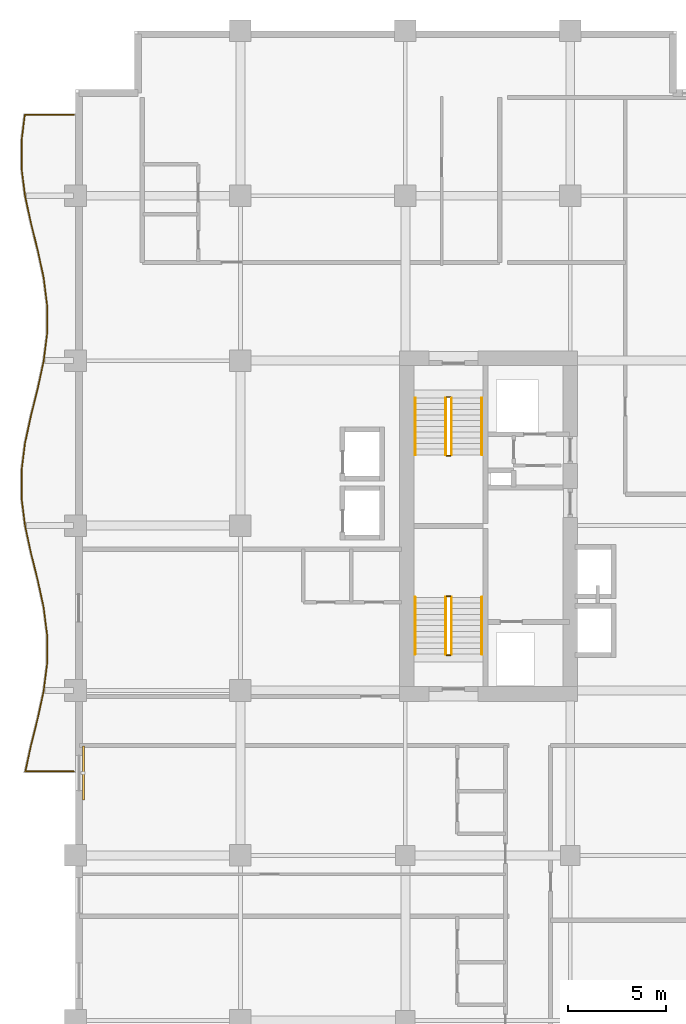
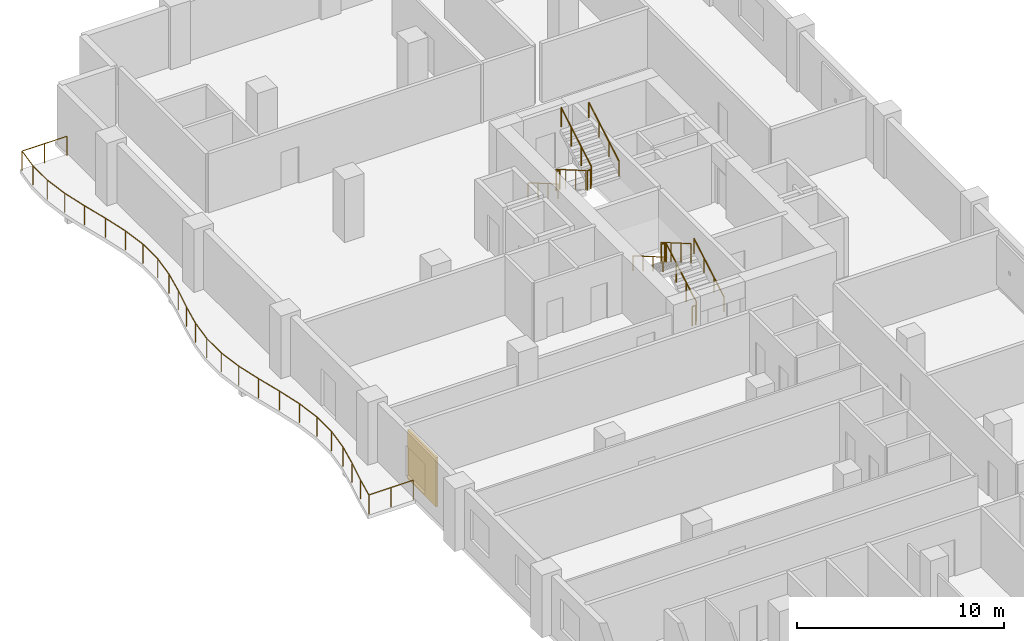
# One storey, part 15 of 16: 13 railings, 1 shading device.
"""IFC4 building model written with IfcOpenShell, lengths in metres."""

from ifc_helpers import new_model, si_unit, direction, frame, origin, origin_2d, place, context, subcontext, project, spatial, rectangle, circle, extrude, material, layer, layer_set, type_object, element, save


model = new_model("IFC4")

# Units and contexts
model_context = context("Model", 3, precision=1e-05, world=origin(), true_north=direction((0.0, 1.0)))
body_context = subcontext(model_context, "Body", "Model", "MODEL_VIEW")
ifc_project = project(units=[si_unit("LENGTHUNIT", "METRE"), si_unit("AREAUNIT", "SQUARE_METRE"), si_unit("VOLUMEUNIT", "CUBIC_METRE"), si_unit("PLANEANGLEUNIT", "RADIAN"), si_unit("MASSUNIT", "GRAM", prefix="KILO")], contexts=[model_context])

# Site, building, storey
site_placement = place(None, origin())
site = spatial("IfcSite", under=ifc_project, at=site_placement, CompositionType="ELEMENT")
building_placement = place(site_placement, origin())
building = spatial("IfcBuilding", under=site, at=building_placement, Name="Koriwani Terraces Tower", CompositionType="ELEMENT")
storey_placement = place(building_placement, frame((0.0, 0.0, 179.10009765625)))
storey = spatial("IfcBuildingStorey", under=building, at=storey_placement, Name="L43", CompositionType="ELEMENT", Elevation=179.10009765625)

# Railings
ifc_material_1 = material(Name="Steel ASTM A572 Grade 50", Category="steel")
railing_type_1 = type_object("IfcRailingType", Name="GUARD_BALUSTRADE_1150", PredefinedType="BALUSTRADE", material=ifc_material_1)
railing_1_placement = place(storey_placement, frame((-0.080078125, 37.8798828125, 0.0)))
element("IfcRailing", 1, at=railing_1_placement, inside=storey, type_object=railing_type_1, Name="L43 Balcony Perimeter Safety Balustrade (W)", PredefinedType="BALUSTRADE", context=body_context, shape_type="SweptSolid", body=[
    extrude(circle(Radius=0.02392578125, at=origin_2d()), frame((0.0, 0.0, 1.1259765625), z_axis=(-1.0, 0.0, 0.0), x_axis=(0.0, -1.0, 0.0)), (0.0, 0.0, 1.0), 2.47314453125),
    extrude(circle(Radius=0.02392578125, at=origin_2d()), frame((-2.47314453125, 0.0, 1.1259765625), z_axis=(0.211318595877, 0.977417234878, 0.0), x_axis=(-0.977417234878, 0.211318595877, 0.0)), (0.0, 0.0, 1.0), 1.33203125),
    extrude(circle(Radius=0.02392578125, at=origin_2d()), frame((-2.191650390625, 1.302001953125, 1.1259765625), z_axis=(0.242137466795, 0.970241952903, 0.0), x_axis=(-0.970241952903, 0.242137466795, 0.0)), (0.0, 0.0, 1.0), 1.44287109375),
    extrude(circle(Radius=0.02392578125, at=origin_2d()), frame((-1.84228515625, 2.701904296875, 1.1259765625), z_axis=(0.21115295759, 0.977453031353, 0.0), x_axis=(-0.977453031353, 0.21115295759, 0.0)), (0.0, 0.0, 1.0), 1.437255859375),
    extrude(circle(Radius=0.02392578125, at=origin_2d()), frame((-1.538818359375, 4.106689453125, 1.1259765625), z_axis=(0.123674829633, 0.992322798546, 0.0), x_axis=(-0.992322798546, 0.123674829633, 0.0)), (0.0, 0.0, 1.0), 1.41943359375),
    extrude(circle(Radius=0.02392578125, at=origin_2d()), frame((-1.36328125, 5.51513671875, 1.1259765625), z_axis=(0.0, 1.0, 0.0), x_axis=(-1.0, 0.0, 0.0)), (0.0, 0.0, 1.0), 1.409912109375),
    extrude(circle(Radius=0.02392578125, at=origin_2d()), frame((-1.36328125, 6.925048828125, 1.1259765625), z_axis=(-0.123674829633, 0.992322798546, 0.0), x_axis=(-0.992322798546, -0.123674829633, 0.0)), (0.0, 0.0, 1.0), 1.41943359375),
    extrude(circle(Radius=0.02392578125, at=origin_2d()), frame((-1.538818359375, 8.33349609375, 1.1259765625), z_axis=(-0.21115295759, 0.977453031353, 0.0), x_axis=(-0.977453031353, -0.21115295759, 0.0)), (0.0, 0.0, 1.0), 1.437255859375),
    extrude(circle(Radius=0.02392578125, at=origin_2d()), frame((-1.84228515625, 9.73828125, 1.1259765625), z_axis=(-0.242137466795, 0.970241952903, 0.0), x_axis=(-0.970241952903, -0.242137466795, 0.0)), (0.0, 0.0, 1.0), 1.44287109375),
    extrude(circle(Radius=0.02392578125, at=origin_2d()), frame((-2.191650390625, 11.13818359375, 1.1259765625), z_axis=(-0.211385782237, 0.977402706702, 0.0), x_axis=(-0.977402706702, -0.211385782237, 0.0)), (0.0, 0.0, 1.0), 1.427490234375),
    extrude(circle(Radius=0.02392578125, at=origin_2d()), frame((-2.493408203125, 12.533447265625, 1.1259765625), z_axis=(-0.123777613669, 0.992309982997, 0.0), x_axis=(-0.992309982997, -0.123777613669, 0.0)), (0.0, 0.0, 1.0), 1.40234375),
    extrude(circle(Radius=0.02392578125, at=origin_2d()), frame((-2.6669921875, 13.925048828125, 1.1259765625), z_axis=(0.0, 1.0, 0.0), x_axis=(-1.0, 0.0, 0.0)), (0.0, 0.0, 1.0), 1.39013671875),
    extrude(circle(Radius=0.02392578125, at=origin_2d()), frame((-2.6669921875, 15.315185546875, 1.1259765625), z_axis=(0.123777613669, 0.992309982997, 0.0), x_axis=(-0.992309982997, 0.123777613669, 0.0)), (0.0, 0.0, 1.0), 1.40234375),
    extrude(circle(Radius=0.02392578125, at=origin_2d()), frame((-2.493408203125, 16.706787109375, 1.1259765625), z_axis=(0.211385782237, 0.977402706702, 0.0), x_axis=(-0.977402706702, 0.211385782237, 0.0)), (0.0, 0.0, 1.0), 1.427490234375),
    extrude(circle(Radius=0.02392578125, at=origin_2d()), frame((-2.191650390625, 18.10205078125, 1.1259765625), z_axis=(0.242137466795, 0.970241952903, 0.0), x_axis=(-0.970241952903, 0.242137466795, 0.0)), (0.0, 0.0, 1.0), 1.44287109375),
    extrude(circle(Radius=0.02392578125, at=origin_2d()), frame((-1.84228515625, 19.501953125, 1.1259765625), z_axis=(0.21115295759, 0.977453031353, 0.0), x_axis=(-0.977453031353, 0.21115295759, 0.0)), (0.0, 0.0, 1.0), 1.437255859375),
    extrude(circle(Radius=0.02392578125, at=origin_2d()), frame((-1.538818359375, 20.90673828125, 1.1259765625), z_axis=(0.123674829633, 0.992322798546, 0.0), x_axis=(-0.992322798546, 0.123674829633, 0.0)), (0.0, 0.0, 1.0), 1.41943359375),
    extrude(circle(Radius=0.02392578125, at=origin_2d()), frame((-1.36328125, 22.315185546875, 1.1259765625), z_axis=(0.0, 1.0, 0.0), x_axis=(-1.0, 0.0, 0.0)), (0.0, 0.0, 1.0), 1.409912109375),
    extrude(circle(Radius=0.02392578125, at=origin_2d()), frame((-1.36328125, 23.72509765625, 1.1259765625), z_axis=(-0.123674829633, 0.992322798546, 0.0), x_axis=(-0.992322798546, -0.123674829633, 0.0)), (0.0, 0.0, 1.0), 1.41943359375),
    extrude(circle(Radius=0.02392578125, at=origin_2d()), frame((-1.538818359375, 25.133544921875, 1.1259765625), z_axis=(-0.21115295759, 0.977453031353, 0.0), x_axis=(-0.977453031353, -0.21115295759, 0.0)), (0.0, 0.0, 1.0), 1.437255859375),
    extrude(circle(Radius=0.02392578125, at=origin_2d()), frame((-1.84228515625, 26.538330078125, 1.1259765625), z_axis=(-0.242137466795, 0.970241952903, 0.0), x_axis=(-0.970241952903, -0.242137466795, 0.0)), (0.0, 0.0, 1.0), 1.44287109375),
    extrude(circle(Radius=0.02392578125, at=origin_2d()), frame((-2.191650390625, 27.938232421875, 1.1259765625), z_axis=(-0.211385782237, 0.977402706702, 0.0), x_axis=(-0.977402706702, -0.211385782237, 0.0)), (0.0, 0.0, 1.0), 1.427490234375),
    extrude(circle(Radius=0.02392578125, at=origin_2d()), frame((-2.493408203125, 29.33349609375, 1.1259765625), z_axis=(-0.123777613669, 0.992309982997, 0.0), x_axis=(-0.992309982997, -0.123777613669, 0.0)), (0.0, 0.0, 1.0), 1.40234375),
    extrude(circle(Radius=0.02392578125, at=origin_2d()), frame((-2.6669921875, 30.72509765625, 1.1259765625), z_axis=(0.0, 1.0, 0.0), x_axis=(-1.0, 0.0, 0.0)), (0.0, 0.0, 1.0), 1.39013671875),
    extrude(circle(Radius=0.02392578125, at=origin_2d()), frame((-2.6669921875, 32.115234375, 1.1259765625), z_axis=(0.123787184491, 0.992308789115, 0.0), x_axis=(-0.992308789115, 0.123787184491, 0.0)), (0.0, 0.0, 1.0), 1.335205078125),
    extrude(circle(Radius=0.02392578125, at=origin_2d()), frame((-2.501708984375, 33.440185546875, 1.1259765625), z_axis=(1.0, 0.0, 0.0), x_axis=(0.0, 1.0, 0.0)), (0.0, 0.0, 1.0), 2.501708984375),
    extrude(circle(Radius=0.02099609375, at=origin_2d()), origin(), (0.0, 0.0, 1.0), 1.101806640625),
    extrude(circle(Radius=0.02099609375, at=origin_2d()), frame((-1.236572265625, 0.0, 0.0)), (0.0, 0.0, 1.0), 1.101806640625),
    extrude(circle(Radius=0.02099609375, at=origin_2d()), frame((-2.47314453125, 0.0, 0.0)), (0.0, 0.0, 1.0), 1.101806640625),
    extrude(circle(Radius=0.02099609375, at=origin_2d()), frame((-2.191650390625, 1.302001953125, 0.0)), (0.0, 0.0, 1.0), 1.101806640625),
    extrude(circle(Radius=0.02099609375, at=origin_2d()), frame((-1.84228515625, 2.701904296875, 0.0)), (0.0, 0.0, 1.0), 1.101806640625),
    extrude(circle(Radius=0.02099609375, at=origin_2d()), frame((-1.538818359375, 4.106689453125, 0.0)), (0.0, 0.0, 1.0), 1.101806640625),
    extrude(circle(Radius=0.02099609375, at=origin_2d()), frame((-1.36328125, 5.51513671875, 0.0)), (0.0, 0.0, 1.0), 1.101806640625),
    extrude(circle(Radius=0.02099609375, at=origin_2d()), frame((-1.36328125, 6.925048828125, 0.0)), (0.0, 0.0, 1.0), 1.101806640625),
    extrude(circle(Radius=0.02099609375, at=origin_2d()), frame((-1.538818359375, 8.33349609375, 0.0)), (0.0, 0.0, 1.0), 1.101806640625),
    extrude(circle(Radius=0.02099609375, at=origin_2d()), frame((-1.84228515625, 9.73828125, 0.0)), (0.0, 0.0, 1.0), 1.101806640625),
    extrude(circle(Radius=0.02099609375, at=origin_2d()), frame((-2.191650390625, 11.13818359375, 0.0)), (0.0, 0.0, 1.0), 1.101806640625),
    extrude(circle(Radius=0.02099609375, at=origin_2d()), frame((-2.493408203125, 12.533447265625, 0.0)), (0.0, 0.0, 1.0), 1.101806640625),
    extrude(circle(Radius=0.02099609375, at=origin_2d()), frame((-2.6669921875, 13.925048828125, 0.0)), (0.0, 0.0, 1.0), 1.101806640625),
    extrude(circle(Radius=0.02099609375, at=origin_2d()), frame((-2.6669921875, 15.315185546875, 0.0)), (0.0, 0.0, 1.0), 1.101806640625),
    extrude(circle(Radius=0.02099609375, at=origin_2d()), frame((-2.493408203125, 16.706787109375, 0.0)), (0.0, 0.0, 1.0), 1.101806640625),
    extrude(circle(Radius=0.02099609375, at=origin_2d()), frame((-2.191650390625, 18.10205078125, 0.0)), (0.0, 0.0, 1.0), 1.101806640625),
    extrude(circle(Radius=0.02099609375, at=origin_2d()), frame((-1.84228515625, 19.501953125, 0.0)), (0.0, 0.0, 1.0), 1.101806640625),
    extrude(circle(Radius=0.02099609375, at=origin_2d()), frame((-1.538818359375, 20.90673828125, 0.0)), (0.0, 0.0, 1.0), 1.101806640625),
    extrude(circle(Radius=0.02099609375, at=origin_2d()), frame((-1.36328125, 22.315185546875, 0.0)), (0.0, 0.0, 1.0), 1.101806640625),
    extrude(circle(Radius=0.02099609375, at=origin_2d()), frame((-1.36328125, 23.72509765625, 0.0)), (0.0, 0.0, 1.0), 1.101806640625),
    extrude(circle(Radius=0.02099609375, at=origin_2d()), frame((-1.538818359375, 25.133544921875, 0.0)), (0.0, 0.0, 1.0), 1.101806640625),
    extrude(circle(Radius=0.02099609375, at=origin_2d()), frame((-1.84228515625, 26.538330078125, 0.0)), (0.0, 0.0, 1.0), 1.101806640625),
    extrude(circle(Radius=0.02099609375, at=origin_2d()), frame((-2.191650390625, 27.938232421875, 0.0)), (0.0, 0.0, 1.0), 1.101806640625),
    extrude(circle(Radius=0.02099609375, at=origin_2d()), frame((-2.493408203125, 29.33349609375, 0.0)), (0.0, 0.0, 1.0), 1.101806640625),
    extrude(circle(Radius=0.02099609375, at=origin_2d()), frame((-2.6669921875, 30.72509765625, 0.0)), (0.0, 0.0, 1.0), 1.101806640625),
    extrude(circle(Radius=0.02099609375, at=origin_2d()), frame((-2.6669921875, 32.115234375, 0.0)), (0.0, 0.0, 1.0), 1.101806640625),
    extrude(circle(Radius=0.02099609375, at=origin_2d()), frame((-2.501708984375, 33.440185546875, 0.0)), (0.0, 0.0, 1.0), 1.101806640625),
    extrude(circle(Radius=0.02099609375, at=origin_2d()), frame((-1.2509765625, 33.440185546875, 0.0)), (0.0, 0.0, 1.0), 1.101806640625),
    extrude(circle(Radius=0.02099609375, at=origin_2d()), frame((0.0, 33.440185546875, 0.0)), (0.0, 0.0, 1.0), 1.101806640625),
])
railing_type_2 = type_object("IfcRailingType", Name="GUARD_STAIR_WELL_1120", PredefinedType="GUARDRAIL", material=ifc_material_1)
railing_2_placement = place(storey_placement, frame((19.14990234375, 43.85009765625, 0.16796875)))
element("IfcRailing", 2, at=railing_2_placement, inside=storey, type_object=railing_type_2, Name="L43 ST-W1 stair guard 1", PredefinedType="GUARDRAIL", context=body_context, shape_type="SweptSolid", body=[
    extrude(circle(Radius=0.02392578125, at=origin_2d()), frame((0.0, 0.0, 1.1259765625), z_axis=(0.0, 0.865038774852, 0.501705010941), x_axis=(-1.0, 0.0, 0.0)), (0.0, 0.0, 1.0), 3.352294921875),
    extrude(circle(Radius=0.02099609375, at=origin_2d()), origin(), (0.0, 0.0, 1.0), 1.101806640625),
    extrude(circle(Radius=0.02099609375, at=origin_2d()), frame((0.0, 0.966552734375, 0.560546875)), (0.0, 0.0, 1.0), 1.101806640625),
    extrude(circle(Radius=0.02099609375, at=origin_2d()), frame((0.0, 1.933349609375, 1.121337890625)), (0.0, 0.0, 1.0), 1.101806640625),
    extrude(circle(Radius=0.02099609375, at=origin_2d()), frame((0.0, 2.89990234375, 1.681884765625)), (0.0, 0.0, 1.0), 1.101806640625),
])
railing_3_placement = place(storey_placement, frame((19.10009765625, 46.800048828125, 1.849853515625)))
element("IfcRailing", 3, at=railing_3_placement, inside=storey, type_object=railing_type_2, Name="L43 ST-W1 stair guard 2", PredefinedType="GUARDRAIL", context=body_context, shape_type="SweptSolid", body=[
    extrude(circle(Radius=0.02392578125, at=origin_2d()), frame((0.0, 0.0, 1.1259765625), z_axis=(-1.0, 0.0, 0.0), x_axis=(0.0, -1.0, 0.0)), (0.0, 0.0, 1.0), 0.2001953125),
    extrude(circle(Radius=0.02099609375, at=origin_2d()), origin(), (0.0, 0.0, 1.0), 1.101806640625),
    extrude(circle(Radius=0.02099609375, at=origin_2d()), frame((-0.2001953125, 0.0, 0.0)), (0.0, 0.0, 1.0), 1.101806640625),
])
railing_4_placement = place(storey_placement, frame((18.85009765625, 46.75, 2.01806640625)))
element("IfcRailing", 4, at=railing_4_placement, inside=storey, type_object=railing_type_2, Name="L43 ST-W1 stair guard 3", PredefinedType="GUARDRAIL", context=body_context, shape_type="SweptSolid", body=[
    extrude(circle(Radius=0.02392578125, at=origin_2d()), frame((0.0, 0.0, 1.1259765625), z_axis=(0.0, -0.865038774852, 0.501705010941), x_axis=(1.0, 0.0, 0.0)), (0.0, 0.0, 1.0), 3.352294921875),
    extrude(circle(Radius=0.02099609375, at=origin_2d()), origin(), (0.0, 0.0, 1.0), 1.101806640625),
    extrude(circle(Radius=0.02099609375, at=origin_2d()), frame((0.0, -0.966552734375, 0.560546875)), (0.0, 0.0, 1.0), 1.101806640625),
    extrude(circle(Radius=0.02099609375, at=origin_2d()), frame((0.0, -1.933349609375, 1.121337890625)), (0.0, 0.0, 1.0), 1.101806640625),
    extrude(circle(Radius=0.02099609375, at=origin_2d()), frame((0.0, -2.89990234375, 1.681884765625)), (0.0, 0.0, 1.0), 1.101806640625),
])
railing_5_placement = place(storey_placement, frame((19.10009765625, 43.800048828125, 0.0)))
element("IfcRailing", 5, at=railing_5_placement, inside=storey, type_object=railing_type_2, Name="L43 ST-W1 stair guard 4", PredefinedType="GUARDRAIL", context=body_context, shape_type="SweptSolid", body=[
    extrude(circle(Radius=0.02392578125, at=origin_2d()), frame((0.0, 0.0, 1.1259765625), z_axis=(-1.0, 0.0, 0.0), x_axis=(0.0, -1.0, 0.0)), (0.0, 0.0, 1.0), 0.2001953125),
    extrude(circle(Radius=0.02099609375, at=origin_2d()), origin(), (0.0, 0.0, 1.0), 1.101806640625),
    extrude(circle(Radius=0.02099609375, at=origin_2d()), frame((-0.2001953125, 0.0, 0.0)), (0.0, 0.0, 1.0), 1.101806640625),
])
railing_6_placement = place(storey_placement, frame((18.85009765625, 56.89990234375, 0.16796875)))
element("IfcRailing", 6, at=railing_6_placement, inside=storey, type_object=railing_type_2, Name="L43 ST-W2 stair guard 1", PredefinedType="GUARDRAIL", context=body_context, shape_type="SweptSolid", body=[
    extrude(circle(Radius=0.02392578125, at=origin_2d()), frame((0.0, 0.0, 1.1259765625), z_axis=(0.0, -0.865038774852, 0.501705010941), x_axis=(1.0, 0.0, 0.0)), (0.0, 0.0, 1.0), 3.352294921875),
    extrude(circle(Radius=0.02099609375, at=origin_2d()), origin(), (0.0, 0.0, 1.0), 1.101806640625),
    extrude(circle(Radius=0.02099609375, at=origin_2d()), frame((0.0, -0.966552734375, 0.560546875)), (0.0, 0.0, 1.0), 1.101806640625),
    extrude(circle(Radius=0.02099609375, at=origin_2d()), frame((0.0, -1.933349609375, 1.121337890625)), (0.0, 0.0, 1.0), 1.101806640625),
    extrude(circle(Radius=0.02099609375, at=origin_2d()), frame((0.0, -2.89990234375, 1.681884765625)), (0.0, 0.0, 1.0), 1.101806640625),
])
railing_7_placement = place(storey_placement, frame((18.89990234375, 53.949951171875, 1.849853515625)))
element("IfcRailing", 7, at=railing_7_placement, inside=storey, type_object=railing_type_2, Name="L43 ST-W2 stair guard 2", PredefinedType="GUARDRAIL", context=body_context, shape_type="SweptSolid", body=[
    extrude(circle(Radius=0.02392578125, at=origin_2d()), frame((0.0, 0.0, 1.1259765625), z_axis=(1.0, 0.0, 0.0), x_axis=(0.0, 1.0, 0.0)), (0.0, 0.0, 1.0), 0.2001953125),
    extrude(circle(Radius=0.02099609375, at=origin_2d()), origin(), (0.0, 0.0, 1.0), 1.101806640625),
    extrude(circle(Radius=0.02099609375, at=origin_2d()), frame((0.2001953125, 0.0, 0.0)), (0.0, 0.0, 1.0), 1.101806640625),
])
railing_8_placement = place(storey_placement, frame((19.14990234375, 54.0, 2.01806640625)))
element("IfcRailing", 8, at=railing_8_placement, inside=storey, type_object=railing_type_2, Name="L43 ST-W2 stair guard 3", PredefinedType="GUARDRAIL", context=body_context, shape_type="SweptSolid", body=[
    extrude(circle(Radius=0.02392578125, at=origin_2d()), frame((0.0, 0.0, 1.1259765625), z_axis=(0.0, 0.865038774852, 0.501705010941), x_axis=(-1.0, 0.0, 0.0)), (0.0, 0.0, 1.0), 3.352294921875),
    extrude(circle(Radius=0.02099609375, at=origin_2d()), origin(), (0.0, 0.0, 1.0), 1.101806640625),
    extrude(circle(Radius=0.02099609375, at=origin_2d()), frame((0.0, 0.966552734375, 0.560546875)), (0.0, 0.0, 1.0), 1.101806640625),
    extrude(circle(Radius=0.02099609375, at=origin_2d()), frame((0.0, 1.933349609375, 1.121337890625)), (0.0, 0.0, 1.0), 1.101806640625),
    extrude(circle(Radius=0.02099609375, at=origin_2d()), frame((0.0, 2.89990234375, 1.681884765625)), (0.0, 0.0, 1.0), 1.101806640625),
])
railing_9_placement = place(storey_placement, frame((18.89990234375, 56.949951171875, 0.0)))
element("IfcRailing", 9, at=railing_9_placement, inside=storey, type_object=railing_type_2, Name="L43 ST-W2 stair guard 4", PredefinedType="GUARDRAIL", context=body_context, shape_type="SweptSolid", body=[
    extrude(circle(Radius=0.02392578125, at=origin_2d()), frame((0.0, 0.0, 1.1259765625), z_axis=(1.0, 0.0, 0.0), x_axis=(0.0, 1.0, 0.0)), (0.0, 0.0, 1.0), 0.2001953125),
    extrude(circle(Radius=0.02099609375, at=origin_2d()), origin(), (0.0, 0.0, 1.0), 1.101806640625),
    extrude(circle(Radius=0.02099609375, at=origin_2d()), frame((0.2001953125, 0.0, 0.0)), (0.0, 0.0, 1.0), 1.101806640625),
])
railing_type_3 = type_object("IfcRailingType", Name="HANDRAIL_STAIR_920", PredefinedType="HANDRAIL", material=ifc_material_1)
railing_10_placement = place(storey_placement, frame((20.699951171875, 43.85009765625, 0.16796875)))
element("IfcRailing", 10, at=railing_10_placement, inside=storey, type_object=railing_type_3, Name="L43 ST-W1 stair handrail 1", PredefinedType="HANDRAIL", context=body_context, shape_type="SweptSolid", body=[
    extrude(circle(Radius=0.02392578125, at=origin_2d()), frame((0.0, 0.0, 0.8759765625), z_axis=(0.0, 0.865038774852, 0.501705010941), x_axis=(-1.0, 0.0, 0.0)), (0.0, 0.0, 1.0), 3.352294921875),
    extrude(circle(Radius=0.02099609375, at=origin_2d()), origin(), (0.0, 0.0, 1.0), 0.851806640625),
    extrude(circle(Radius=0.02099609375, at=origin_2d()), frame((0.0, 0.966552734375, 0.560546875)), (0.0, 0.0, 1.0), 0.851806640625),
    extrude(circle(Radius=0.02099609375, at=origin_2d()), frame((0.0, 1.933349609375, 1.121337890625)), (0.0, 0.0, 1.0), 0.851806640625),
    extrude(circle(Radius=0.02099609375, at=origin_2d()), frame((0.0, 2.89990234375, 1.681884765625)), (0.0, 0.0, 1.0), 0.851806640625),
])
for number, where, name in (
    (11, (17.300048828125, 46.75, 2.01806640625), "L43 ST-W1 stair handrail 2"),
    (12, (17.300048828125, 56.89990234375, 0.16796875), "L43 ST-W2 stair handrail 1"),
):
    element("IfcRailing", number, at=place(storey_placement, frame(where)), inside=storey, type_object=railing_type_3, Name=name, PredefinedType="HANDRAIL", context=body_context, shape_type="SweptSolid", body=[
        extrude(circle(Radius=0.02392578125, at=origin_2d()), frame((0.0, 0.0, 0.8759765625), z_axis=(0.0, -0.865038774852, 0.501705010941), x_axis=(1.0, 0.0, 0.0)), (0.0, 0.0, 1.0), 3.352294921875),
        extrude(circle(Radius=0.02099609375, at=origin_2d()), origin(), (0.0, 0.0, 1.0), 0.851806640625),
        extrude(circle(Radius=0.02099609375, at=origin_2d()), frame((0.0, -0.966552734375, 0.560546875)), (0.0, 0.0, 1.0), 0.851806640625),
        extrude(circle(Radius=0.02099609375, at=origin_2d()), frame((0.0, -1.933349609375, 1.121337890625)), (0.0, 0.0, 1.0), 0.851806640625),
        extrude(circle(Radius=0.02099609375, at=origin_2d()), frame((0.0, -2.89990234375, 1.681884765625)), (0.0, 0.0, 1.0), 0.851806640625),
    ])
railing_11_placement = place(storey_placement, frame((20.699951171875, 54.0, 2.01806640625)))
element("IfcRailing", 13, at=railing_11_placement, inside=storey, type_object=railing_type_3, Name="L43 ST-W2 stair handrail 2", PredefinedType="HANDRAIL", context=body_context, shape_type="SweptSolid", body=[
    extrude(circle(Radius=0.02392578125, at=origin_2d()), frame((0.0, 0.0, 0.8759765625), z_axis=(0.0, 0.865038774852, 0.501705010941), x_axis=(-1.0, 0.0, 0.0)), (0.0, 0.0, 1.0), 3.352294921875),
    extrude(circle(Radius=0.02099609375, at=origin_2d()), origin(), (0.0, 0.0, 1.0), 0.851806640625),
    extrude(circle(Radius=0.02099609375, at=origin_2d()), frame((0.0, 0.966552734375, 0.560546875)), (0.0, 0.0, 1.0), 0.851806640625),
    extrude(circle(Radius=0.02099609375, at=origin_2d()), frame((0.0, 1.933349609375, 1.121337890625)), (0.0, 0.0, 1.0), 0.851806640625),
    extrude(circle(Radius=0.02099609375, at=origin_2d()), frame((0.0, 2.89990234375, 1.681884765625)), (0.0, 0.0, 1.0), 0.851806640625),
])

# Shading device
ifc_material_2 = material(Name="Extruded Terracotta Clay", Category="masonry")
ifc_layer = layer(ifc_material_2, 0.1201171875, Name="Extruded Terracotta Clay")
ifc_layer_set = layer_set([ifc_layer], Name="Extruded Terracotta Clay")
shading_device_type = type_object("IfcShadingDeviceType", Name="TERRACOTTA_BAGUETTE_SCREEN_2800", PredefinedType="USERDEFINED", material=ifc_layer_set)
shading_device_placement = place(storey_placement, frame((0.405029296875, 37.800048828125, 0.284912109375), z_axis=(0.0, 0.0, 1.0), x_axis=(0.0, 1.0, 0.0)))
element("IfcShadingDevice", 14, at=shading_device_placement, inside=storey, type_object=shading_device_type, Name="L43 Extruded Terracotta Baguette Screen (W-12)", ObjectType="BAGUETTE", PredefinedType="USERDEFINED", context=body_context, shape_type="SweptSolid", body=[
    extrude(rectangle(XDim=2.760009765625, YDim=0.1201171875, at=origin_2d()), origin(), (0.0, 0.0, 1.0), 2.89990234375),
])

save(model, "model.ifc")
